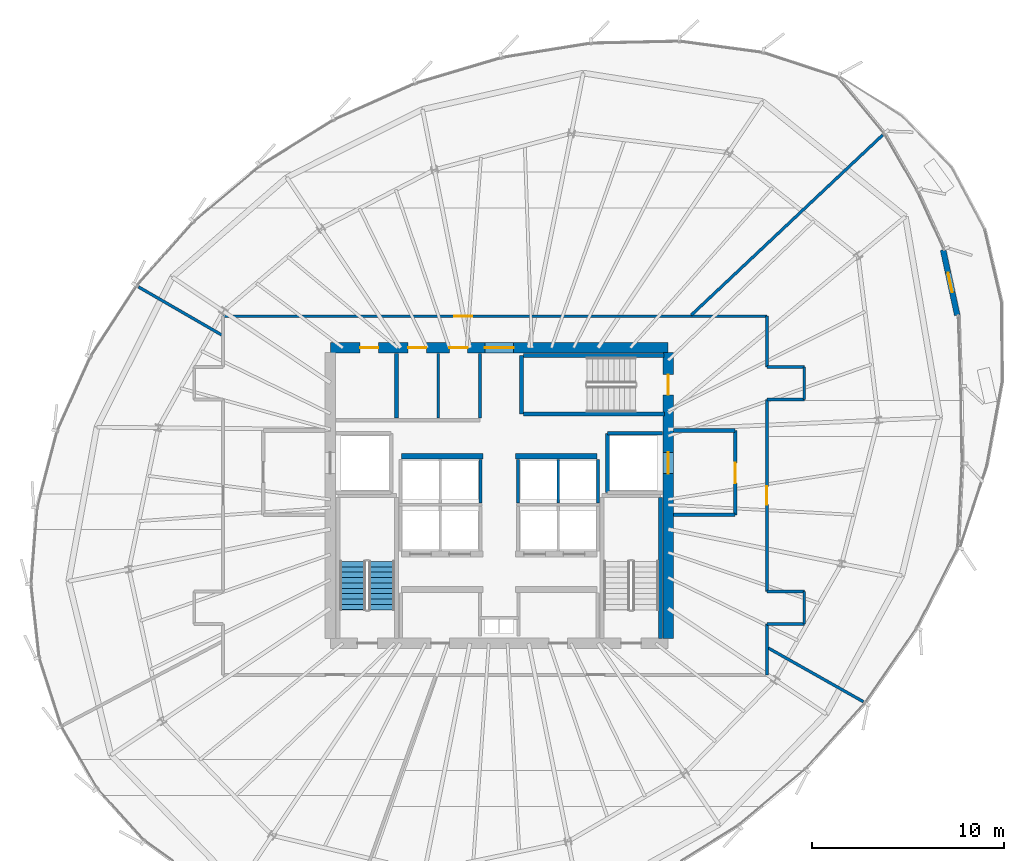
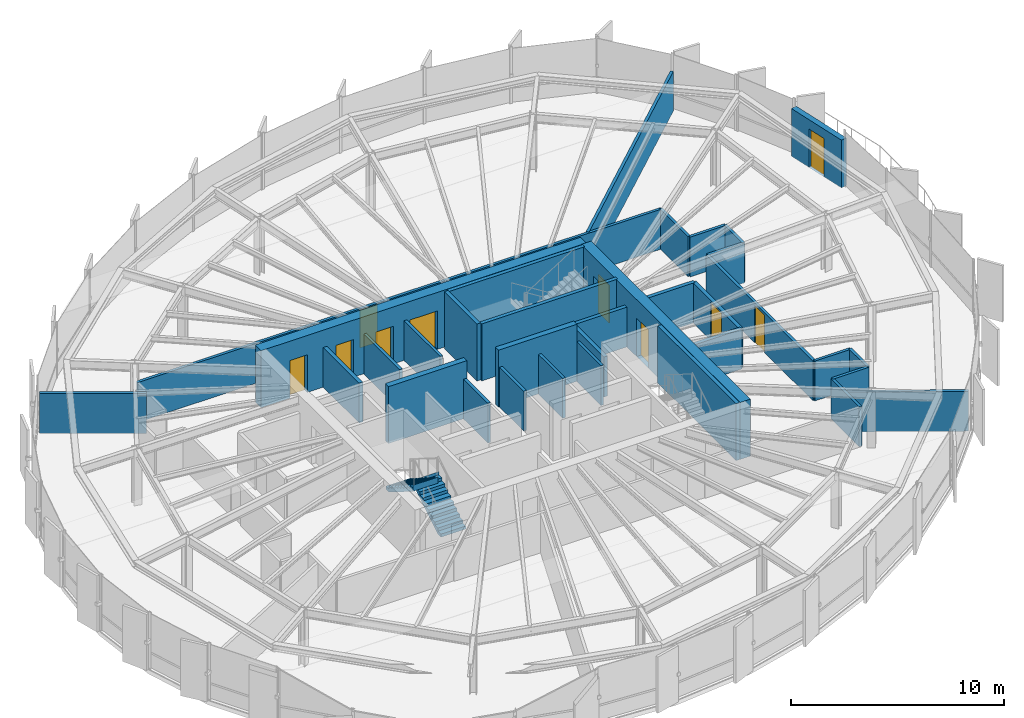
# One storey, part 31 of 35: 34 walls, 10 doors, 2 stair flights, 10 openings, 1 element without a shape of its own.
"""IFC4 building model written with IfcOpenShell, lengths in metres."""

from ifc_helpers import new_model, si_unit, direction, frame, frame_2d, origin, place, context, subcontext, project, spatial, polyline, rectangle, outline, extrude, source, transform, mapped, material, layer, layer_set, type_object, element, fill, aggregate, save


model = new_model("IFC4")

# Units and contexts
model_context = context("Model", 3, precision=1e-05, world=origin(), true_north=direction((0.0, 1.0)))
body_context = subcontext(model_context, "Body", "Model", "MODEL_VIEW")
ifc_project = project(units=[si_unit("LENGTHUNIT", "METRE"), si_unit("AREAUNIT", "SQUARE_METRE"), si_unit("VOLUMEUNIT", "CUBIC_METRE"), si_unit("PLANEANGLEUNIT", "RADIAN"), si_unit("MASSUNIT", "GRAM", prefix="KILO"), si_unit("THERMODYNAMICTEMPERATUREUNIT", "KELVIN")], contexts=[model_context])

# Site, building, storey
site_placement = place(None, origin())
site = spatial("IfcSite", under=ifc_project, at=site_placement, CompositionType="ELEMENT")
building_placement = place(site_placement, origin())
building = spatial("IfcBuilding", under=site, at=building_placement, Name="Kethvar Cultural Tower", CompositionType="ELEMENT")
storey_placement = place(building_placement, frame((0.0, 0.0, 179.89990234375)))
storey = spatial("IfcBuildingStorey", under=building, at=storey_placement, Name="L46", CompositionType="ELEMENT", Elevation=179.89990234375)

# Wall, openings, doors
ifc_material_1 = material(Name="Concrete C60/75", Category="concrete")
ifc_layer_1 = layer(ifc_material_1, 0.550048828125, Name="Concrete C60/75", Category="concrete")
ifc_layer_set_1 = layer_set([ifc_layer_1], Name="Concrete C60/75 (550 mm)")
wall_type_1 = type_object("IfcWallType", Name="WL-CORE-550", PredefinedType="SHEAR", material=ifc_layer_set_1)
wall_1_placement = place(storey_placement, frame((55.60009765625, 35.5, 0.0), z_axis=(0.0, 0.0, 1.0), x_axis=(-1.0, 0.0, 0.0)))
wall_1 = element("IfcWall", 1, at=wall_1_placement, inside=storey, type_object=wall_type_1, Name="L46 Core Shear Wall N", PredefinedType="SHEAR", context=body_context, shape_type="SweptSolid", body=[
    extrude(rectangle(XDim=17.60009765625, YDim=0.550048828125, at=frame_2d((8.800048828125, 0.0))), origin(), (0.0, 0.0, 1.0), 3.260009765625),
])
opening_1_placement = place(wall_1_placement, frame((8.050048828125, 0.0, 0.0)))
opening_1 = element("IfcOpeningElement", 2, at=opening_1_placement, cuts=wall_1, Name="Opening D-L46-LN", PredefinedType="OPENING", context=body_context, shape_type="SweptSolid", body=[
    extrude(rectangle(XDim=1.5, YDim=2.199951171875, at=frame_2d((0.75, 1.10009765625))), frame((0.0, 0.284912109375, 0.0), z_axis=(0.0, -1.0, 0.0), x_axis=(1.0, 0.0, 0.0)), (0.0, 0.0, 1.0), 0.570068359375),
])
opening_2_placement = place(wall_1_placement, frame((15.10009765625, 0.0, 0.0)))
opening_2 = element("IfcOpeningElement", 3, at=opening_2_placement, cuts=wall_1, Name="Opening D-L46-E1", PredefinedType="OPENING", context=body_context, shape_type="SweptSolid", body=[
    extrude(rectangle(XDim=0.949951171875, YDim=2.14990234375, at=frame_2d((0.47509765625, 1.074951171875))), frame((0.0, 0.284912109375, 0.0), z_axis=(0.0, -1.0, 0.0), x_axis=(1.0, 0.0, 0.0)), (0.0, 0.0, 1.0), 0.570068359375),
])
opening_3_placement = place(wall_1_placement, frame((12.60009765625, 0.0, 0.0)))
opening_3 = element("IfcOpeningElement", 4, at=opening_3_placement, cuts=wall_1, Name="Opening D-L46-W1", PredefinedType="OPENING", context=body_context, shape_type="SweptSolid", body=[
    extrude(rectangle(XDim=0.949951171875, YDim=2.14990234375, at=frame_2d((0.47509765625, 1.074951171875))), frame((0.0, 0.284912109375, 0.0), z_axis=(0.0, -1.0, 0.0), x_axis=(1.0, 0.0, 0.0)), (0.0, 0.0, 1.0), 0.570068359375),
])
opening_4_placement = place(wall_1_placement, frame((10.449951171875, 0.0, 0.0)))
opening_4 = element("IfcOpeningElement", 5, at=opening_4_placement, cuts=wall_1, Name="Opening D-L46-W2", PredefinedType="OPENING", context=body_context, shape_type="SweptSolid", body=[
    extrude(rectangle(XDim=0.949951171875, YDim=2.14990234375, at=frame_2d((0.47509765625, 1.074951171875))), frame((0.0, 0.284912109375, 0.0), z_axis=(0.0, -1.0, 0.0), x_axis=(1.0, 0.0, 0.0)), (0.0, 0.0, 1.0), 0.570068359375),
])
ifc_material_2 = material(Name="Architectural Oak Timber", Category="wood")
door_type_1 = type_object("IfcDoorType", Name="DR-DBL-FD60-1500", OperationType="DOUBLE_DOOR_SINGLE_SWING", PredefinedType="DOOR", material=ifc_material_2)
shared_shape_1 = source(origin(), body_context, "Body", "SweptSolid", [
    extrude(rectangle(XDim=1.5, YDim=2.199951171875, at=frame_2d((0.75, 1.10009765625))), frame((0.0, 0.02490234375, 0.0), z_axis=(0.0, -1.0, 0.0), x_axis=(1.0, 0.0, 0.0)), (0.0, 0.0, 1.0), 0.050048828125),
])
door_1_placement = place(opening_1_placement, origin())
door_1 = element("IfcDoor", 6, at=door_1_placement, inside=storey, type_object=door_type_1, Name="L46 Lift Lobby Concourse Door", OperationType="DOUBLE_DOOR_SINGLE_SWING", OverallHeight=2.199951171875, OverallWidth=1.5, PredefinedType="DOOR", context=body_context, shape_type="MappedRepresentation", body=[
    mapped(shared_shape_1, transform((0.0, 0.0, 0.0), scale=1.0)),
])
fill(opening_1, door_1)
door_type_2 = type_object("IfcDoorType", Name="DR-FD30-950", OperationType="NOTDEFINED", PredefinedType="DOOR", material=ifc_material_2)
shared_shape_2 = source(origin(), body_context, "Body", "SweptSolid", [
    extrude(rectangle(XDim=0.949951171875, YDim=2.14990234375, at=frame_2d((0.47509765625, 1.074951171875))), frame((0.0, 0.02490234375, 0.0), z_axis=(0.0, -1.0, 0.0), x_axis=(1.0, 0.0, 0.0)), (0.0, 0.0, 1.0), 0.050048828125),
])
door_2_placement = place(opening_2_placement, origin())
door_2 = element("IfcDoor", 7, at=door_2_placement, inside=storey, type_object=door_type_2, Name="L46 Electrical Switchgear Door", OperationType="SINGLE_SWING_RIGHT", OverallHeight=2.14990234375, OverallWidth=0.949951171875, PredefinedType="DOOR", context=body_context, shape_type="MappedRepresentation", body=[
    mapped(shared_shape_2, transform((0.0, 0.0, 0.0), scale=1.0)),
])
fill(opening_2, door_2)
door_3_placement = place(opening_3_placement, origin())
door_3 = element("IfcDoor", 8, at=door_3_placement, inside=storey, type_object=door_type_2, Name="L46 Accessible Washroom Door", OperationType="SINGLE_SWING_LEFT", OverallHeight=2.14990234375, OverallWidth=0.949951171875, PredefinedType="DOOR", context=body_context, shape_type="MappedRepresentation", body=[
    mapped(shared_shape_2, transform((0.0, 0.0, 0.0), scale=1.0)),
])
fill(opening_3, door_3)
door_4_placement = place(opening_4_placement, origin())
door_4 = element("IfcDoor", 9, at=door_4_placement, inside=storey, type_object=door_type_2, Name="L46 Public Washroom Door", OperationType="SINGLE_SWING_RIGHT", OverallHeight=2.14990234375, OverallWidth=0.949951171875, PredefinedType="DOOR", context=body_context, shape_type="MappedRepresentation", body=[
    mapped(shared_shape_2, transform((0.0, 0.0, 0.0), scale=1.0)),
])
fill(opening_4, door_4)

wall_2_placement = place(storey_placement, frame((55.60009765625, 20.340087890625, 0.0), z_axis=(0.0, 0.0, 1.0), x_axis=(0.0, 1.0, 0.0)))
wall_2 = element("IfcWall", 10, at=wall_2_placement, inside=storey, type_object=wall_type_1, Name="L46 Core Shear Wall E", PredefinedType="SHEAR", context=body_context, shape_type="SweptSolid", body=[
    extrude(rectangle(XDim=14.919921875, YDim=0.550048828125, at=frame_2d((7.4599609375, 0.0))), origin(), (0.0, 0.0, 1.0), 3.260009765625),
])
opening_5_placement = place(wall_2_placement, frame((12.7099609375, 0.0, 0.0)))
opening_5 = element("IfcOpeningElement", 11, at=opening_5_placement, cuts=wall_2, Name="Opening D-L46-S3", PredefinedType="OPENING", context=body_context, shape_type="SweptSolid", body=[
    extrude(rectangle(XDim=1.050048828125, YDim=2.14990234375, at=frame_2d((0.52490234375, 1.074951171875))), frame((0.0, 0.284912109375, 0.0), z_axis=(0.0, -1.0, 0.0), x_axis=(1.0, 0.0, 0.0)), (0.0, 0.0, 1.0), 0.570068359375),
])
opening_6_placement = place(wall_2_placement, frame((8.610107421875, 0.0, 0.0)))
opening_6 = element("IfcOpeningElement", 12, at=opening_6_placement, cuts=wall_2, Name="Opening LD-2", PredefinedType="OPENING", context=body_context, shape_type="SweptSolid", body=[
    extrude(rectangle(XDim=1.10009765625, YDim=2.199951171875, at=frame_2d((0.550048828125, 1.10009765625))), frame((0.0, 0.284912109375, 0.0), z_axis=(0.0, -1.0, 0.0), x_axis=(1.0, 0.0, 0.0)), (0.0, 0.0, 1.0), 0.570068359375),
])
ifc_material_3 = material(Name="Steel S355J2", Category="steel")
door_type_3 = type_object("IfcDoorType", Name="DR-FD60-1050", OperationType="NOTDEFINED", PredefinedType="DOOR", material=ifc_material_3)
shared_shape_3 = source(origin(), body_context, "Body", "SweptSolid", [
    extrude(rectangle(XDim=1.050048828125, YDim=2.14990234375, at=frame_2d((0.52490234375, 1.074951171875))), frame((0.0, 0.02490234375, 0.0), z_axis=(0.0, -1.0, 0.0), x_axis=(1.0, 0.0, 0.0)), (0.0, 0.0, 1.0), 0.050048828125),
])
door_5_placement = place(opening_5_placement, origin())
door_5 = element("IfcDoor", 13, at=door_5_placement, inside=storey, type_object=door_type_3, Name="L46 Exit Stair 3 Door", OperationType="SINGLE_SWING_LEFT", OverallHeight=2.14990234375, OverallWidth=1.050048828125, PredefinedType="DOOR", context=body_context, shape_type="MappedRepresentation", body=[
    mapped(shared_shape_3, transform((0.0, 0.0, 0.0), scale=1.0)),
])
fill(opening_5, door_5)
door_type_4 = type_object("IfcDoorType", Name="DR-LIFT-SLIDE-1100", OperationType="NOTDEFINED", PredefinedType="DOOR", material=ifc_material_3)
shared_shape_4 = source(origin(), body_context, "Body", "SweptSolid", [
    extrude(rectangle(XDim=1.10009765625, YDim=2.199951171875, at=frame_2d((0.550048828125, 1.10009765625))), frame((0.0, 0.02490234375, 0.0), z_axis=(0.0, -1.0, 0.0), x_axis=(1.0, 0.0, 0.0)), (0.0, 0.0, 1.0), 0.050048828125),
])
door_6_placement = place(opening_6_placement, origin())
door_6 = element("IfcDoor", 14, at=door_6_placement, inside=storey, type_object=door_type_4, Name="L46 Firefighting Lift Landing Door FFL-02", OperationType="SLIDING_TO_RIGHT", OverallHeight=2.199951171875, OverallWidth=1.10009765625, PredefinedType="DOOR", context=body_context, shape_type="MappedRepresentation", body=[
    mapped(shared_shape_4, transform((0.0, 0.0, 0.0), scale=1.0)),
])
fill(opening_6, door_6)

# Wall, opening, door
ifc_material_4 = material(Name="Concrete C40/50", Category="concrete")
ifc_layer_2 = layer(ifc_material_4, 0.300048828125, Name="Concrete C40/50", Category="concrete")
ifc_layer_set_2 = layer_set([ifc_layer_2], Name="Concrete C40/50 (300 mm)")
wall_type_2 = type_object("IfcWallType", Name="WL-EXT-TER-300", PredefinedType="SOLIDWALL", material=ifc_layer_set_2)
wall_3_placement = place(storey_placement, frame((69.9345703125, 40.61328125, 0.0), z_axis=(0.0, 0.0, 1.0), x_axis=(0.211576423472, -0.977361456694, 0.0)))
wall_3 = element("IfcWall", 15, at=wall_3_placement, inside=storey, type_object=wall_type_2, Name="L46 Sky Terrace Access Wall", PredefinedType="SOLIDWALL", context=body_context, shape_type="SweptSolid", body=[
    extrude(rectangle(XDim=3.492919921875, YDim=0.300048828125, at=frame_2d((1.74658203125, 0.0))), origin(), (0.0, 0.0, 1.0), 2.735107421875),
])
opening_7_placement = place(wall_3_placement, frame((1.221435546875, 0.0, 0.0)))
opening_7 = element("IfcOpeningElement", 16, at=opening_7_placement, cuts=wall_3, Name="Opening D-L46-T1", PredefinedType="OPENING", context=body_context, shape_type="SweptSolid", body=[
    extrude(rectangle(XDim=1.050048828125, YDim=2.199951171875, at=frame_2d((0.52490234375, 1.10009765625))), frame((0.0, 0.159912109375, 0.0), z_axis=(0.0, -1.0, 0.0), x_axis=(1.0, 0.0, 0.0)), (0.0, 0.0, 1.0), 0.320068359375),
])
ifc_material_5 = material(Name="Aluminium 6063-T6", Category="aluminium")
door_type_5 = type_object("IfcDoorType", Name="DR-EXT-TER-1050", OperationType="NOTDEFINED", PredefinedType="DOOR", material=ifc_material_5)
shared_shape_5 = source(origin(), body_context, "Body", "SweptSolid", [
    extrude(rectangle(XDim=1.050048828125, YDim=2.199951171875, at=frame_2d((0.52490234375, 1.10009765625))), frame((0.0, 0.02490234375, 0.0), z_axis=(0.0, -1.0, 0.0), x_axis=(1.0, 0.0, 0.0)), (0.0, 0.0, 1.0), 0.050048828125),
])
door_7_placement = place(opening_7_placement, origin())
door_7 = element("IfcDoor", 17, at=door_7_placement, inside=storey, type_object=door_type_5, Name="L46 Sky Terrace Access Door D-L46-T1", OperationType="SINGLE_SWING_RIGHT", OverallHeight=2.199951171875, OverallWidth=1.050048828125, PredefinedType="DOOR", context=body_context, shape_type="MappedRepresentation", body=[
    mapped(shared_shape_5, transform((0.0, 0.0, 0.0), scale=1.0)),
])
fill(opening_7, door_7)

# Walls
ifc_material_6 = material(Name="Gypsum Fireboard Partition")
ifc_layer_3 = layer(ifc_material_6, 0.14990234375, Name="Gypsum Fireboard Partition")
ifc_layer_set_3 = layer_set([ifc_layer_3], Name="Gypsum Fireboard Partition (150 mm)")
wall_type_3 = type_object("IfcWallType", Name="WL-FIRE-150", PredefinedType="PARTITIONING", material=ifc_layer_set_3)
for number, where, z_axis, x_axis, name in (
    (18, (45.824951171875, 27.409912109375, 0.0), (0.0, 0.0, 1.0), (0.0, 1.0, 0.0), "L46 High-Rise Lift Shaft Concourse Wall W"),
    (19, (47.77490234375, 27.409912109375, 0.0), (0.0, 0.0, 1.0), (0.0, 1.0, 0.0), "L46 High-Rise Lift Shaft Concourse Wall E"),
    (20, (49.875, 27.409912109375, 0.0), (0.0, 0.0, 1.0), (0.0, 1.0, 0.0), "L46 High-Rise Lift Shaft Divider E"),
    (21, (51.949951171875, 27.409912109375, 0.0), (0.0, 0.0, 1.0), (0.0, 1.0, 0.0), "L46 High-Rise Lift Shaft Outer Wall E"),
):
    element("IfcWall", number, at=place(storey_placement, frame(where, z_axis=z_axis, x_axis=x_axis)), inside=storey, type_object=wall_type_3, Name=name, PredefinedType="PARTITIONING", context=body_context, shape_type="SweptSolid", body=[
        extrude(rectangle(XDim=2.27001953125, YDim=0.14990234375, at=frame_2d((1.135009765625, 0.0))), origin(), (0.0, 0.0, 1.0), 2.280029296875),
    ])
wall_4_placement = place(storey_placement, frame((45.800048828125, 31.85009765625, 0.0), z_axis=(0.0, 0.0, 1.0), x_axis=(0.0, 1.0, 0.0)))
element("IfcWall", 22, at=wall_4_placement, inside=storey, type_object=wall_type_3, Name="L46 Sanitary Spine Wall", PredefinedType="PARTITIONING", context=body_context, shape_type="SweptSolid", body=[
    extrude(rectangle(XDim=3.364990234375, YDim=0.14990234375, at=frame_2d((1.6826171875, 0.0))), origin(), (0.0, 0.0, 1.0), 2.280029296875),
])
wall_5_placement = place(storey_placement, frame((60.75, 18.449951171875, 0.0), z_axis=(0.0, 0.0, 1.0), x_axis=(0.0, 1.0, 0.0)))
element("IfcWall", 23, at=wall_5_placement, inside=storey, type_object=wall_type_3, Name="L46 Corridor Rated Wall E1", PredefinedType="PARTITIONING", context=body_context, shape_type="SweptSolid", body=[
    extrude(rectangle(XDim=2.650146484375, YDim=0.14990234375, at=frame_2d((1.3251953125, 0.0))), origin(), (0.0, 0.0, 1.0), 2.280029296875),
])
wall_6_placement = place(storey_placement, frame((60.75, 21.10009765625, 0.0), z_axis=(0.0, 0.0, 1.0), x_axis=(1.0, 0.0, 0.0)))
element("IfcWall", 24, at=wall_6_placement, inside=storey, type_object=wall_type_3, Name="L46 Corridor Rated Wall ESB", PredefinedType="PARTITIONING", context=body_context, shape_type="SweptSolid", body=[
    extrude(rectangle(XDim=1.949951171875, YDim=0.14990234375, at=frame_2d((0.97509765625, 0.0))), origin(), (0.0, 0.0, 1.0), 2.280029296875),
])
wall_7_placement = place(storey_placement, frame((62.699951171875, 21.10009765625, 0.0), z_axis=(0.0, 0.0, 1.0), x_axis=(0.0, 1.0, 0.0)))
element("IfcWall", 25, at=wall_7_placement, inside=storey, type_object=wall_type_3, Name="L46 Corridor Rated Wall ES", PredefinedType="PARTITIONING", context=body_context, shape_type="SweptSolid", body=[
    extrude(rectangle(XDim=1.699951171875, YDim=0.14990234375, at=frame_2d((0.85009765625, 0.0))), origin(), (0.0, 0.0, 1.0), 2.280029296875),
])
wall_8_placement = place(storey_placement, frame((62.699951171875, 22.800048828125, 0.0), z_axis=(0.0, 0.0, 1.0), x_axis=(-1.0, 0.0, 0.0)))
element("IfcWall", 26, at=wall_8_placement, inside=storey, type_object=wall_type_3, Name="L46 Corridor Rated Wall EST", PredefinedType="PARTITIONING", context=body_context, shape_type="SweptSolid", body=[
    extrude(rectangle(XDim=1.949951171875, YDim=0.14990234375, at=frame_2d((0.97509765625, 0.0))), origin(), (0.0, 0.0, 1.0), 2.280029296875),
])

# Wall, opening, door
wall_9_placement = place(storey_placement, frame((60.75, 22.800048828125, 0.0), z_axis=(0.0, 0.0, 1.0), x_axis=(0.0, 1.0, 0.0)))
wall_9 = element("IfcWall", 27, at=wall_9_placement, inside=storey, type_object=wall_type_3, Name="L46 Corridor Rated Wall EM", PredefinedType="PARTITIONING", context=body_context, shape_type="SweptSolid", body=[
    extrude(rectangle(XDim=10.0, YDim=0.14990234375, at=frame_2d((5.0, 0.0))), origin(), (0.0, 0.0, 1.0), 2.280029296875),
])
opening_8_placement = place(wall_9_placement, frame((4.52490234375, 0.0, 0.0)))
opening_8 = element("IfcOpeningElement", 28, at=opening_8_placement, cuts=wall_9, Name="Opening D-L46-03", PredefinedType="OPENING", context=body_context, shape_type="SweptSolid", body=[
    extrude(rectangle(XDim=0.949951171875, YDim=2.14990234375, at=frame_2d((0.47509765625, 1.074951171875))), frame((0.0, 0.0849609375, 0.0), z_axis=(0.0, -1.0, 0.0), x_axis=(1.0, 0.0, 0.0)), (0.0, 0.0, 1.0), 0.169921875),
])
door_8_placement = place(opening_8_placement, origin())
door_8 = element("IfcDoor", 29, at=door_8_placement, inside=storey, type_object=door_type_2, Name="L46 Curatorial Concierge Foyer 03 Door", OperationType="SINGLE_SWING_LEFT", OverallHeight=2.14990234375, OverallWidth=0.949951171875, PredefinedType="DOOR", context=body_context, shape_type="MappedRepresentation", body=[
    mapped(shared_shape_2, transform((0.0, 0.0, 0.0), scale=1.0)),
])
fill(opening_8, door_8)

# Walls
wall_10_placement = place(storey_placement, frame((60.75, 32.800048828125, 0.0), z_axis=(0.0, 0.0, 1.0), x_axis=(1.0, 0.0, 0.0)))
element("IfcWall", 30, at=wall_10_placement, inside=storey, type_object=wall_type_3, Name="L46 Corridor Rated Wall ENB", PredefinedType="PARTITIONING", context=body_context, shape_type="SweptSolid", body=[
    extrude(rectangle(XDim=1.949951171875, YDim=0.14990234375, at=frame_2d((0.97509765625, 0.0))), origin(), (0.0, 0.0, 1.0), 2.280029296875),
])
wall_11_placement = place(storey_placement, frame((62.699951171875, 32.800048828125, 0.0), z_axis=(0.0, 0.0, 1.0), x_axis=(0.0, 1.0, 0.0)))
element("IfcWall", 31, at=wall_11_placement, inside=storey, type_object=wall_type_3, Name="L46 Corridor Rated Wall EN", PredefinedType="PARTITIONING", context=body_context, shape_type="SweptSolid", body=[
    extrude(rectangle(XDim=1.699951171875, YDim=0.14990234375, at=frame_2d((0.85009765625, 0.0))), origin(), (0.0, 0.0, 1.0), 2.280029296875),
])
wall_12_placement = place(storey_placement, frame((62.699951171875, 34.5, 0.0), z_axis=(0.0, 0.0, 1.0), x_axis=(-1.0, 0.0, 0.0)))
element("IfcWall", 32, at=wall_12_placement, inside=storey, type_object=wall_type_3, Name="L46 Corridor Rated Wall ENT", PredefinedType="PARTITIONING", context=body_context, shape_type="SweptSolid", body=[
    extrude(rectangle(XDim=1.949951171875, YDim=0.14990234375, at=frame_2d((0.97509765625, 0.0))), origin(), (0.0, 0.0, 1.0), 2.280029296875),
])
wall_13_placement = place(storey_placement, frame((60.75, 34.5, 0.0), z_axis=(0.0, 0.0, 1.0), x_axis=(0.0, 1.0, 0.0)))
element("IfcWall", 33, at=wall_13_placement, inside=storey, type_object=wall_type_3, Name="L46 Corridor Rated Wall E2", PredefinedType="PARTITIONING", context=body_context, shape_type="SweptSolid", body=[
    extrude(rectangle(XDim=2.64990234375, YDim=0.14990234375, at=frame_2d((1.324951171875, 0.0))), origin(), (0.0, 0.0, 1.0), 2.280029296875),
])

# Wall, opening, door
wall_14_placement = place(storey_placement, frame((60.75, 37.14990234375, 0.0), z_axis=(0.0, 0.0, 1.0), x_axis=(-1.0, 0.0, 0.0)))
wall_14 = element("IfcWall", 34, at=wall_14_placement, inside=storey, type_object=wall_type_3, Name="L46 Corridor Rated Wall N", PredefinedType="PARTITIONING", context=body_context, shape_type="SweptSolid", body=[
    extrude(rectangle(XDim=28.35009765625, YDim=0.14990234375, at=frame_2d((14.175048828125, 0.0))), origin(), (0.0, 0.0, 1.0), 2.280029296875),
])
opening_9_placement = place(wall_14_placement, frame((15.347412109375, 0.0, 0.0)))
opening_9 = element("IfcOpeningElement", 35, at=opening_9_placement, cuts=wall_14, Name="Opening D-L46-04", PredefinedType="OPENING", context=body_context, shape_type="SweptSolid", body=[
    extrude(rectangle(XDim=0.949951171875, YDim=2.14990234375, at=frame_2d((0.47509765625, 1.074951171875))), frame((0.0, 0.0849609375, 0.0), z_axis=(0.0, -1.0, 0.0), x_axis=(1.0, 0.0, 0.0)), (0.0, 0.0, 1.0), 0.169921875),
])
door_9_placement = place(opening_9_placement, origin())
door_9 = element("IfcDoor", 36, at=door_9_placement, inside=storey, type_object=door_type_2, Name="L46 Security Control Room 04 Door", OperationType="SINGLE_SWING_RIGHT", OverallHeight=2.14990234375, OverallWidth=0.949951171875, PredefinedType="DOOR", context=body_context, shape_type="MappedRepresentation", body=[
    mapped(shared_shape_2, transform((0.0, 0.0, 0.0), scale=1.0)),
])
fill(opening_9, door_9)

# Walls
ifc_layer_4 = layer(ifc_material_4, 0.199951171875, Name="Concrete C40/50", Category="concrete")
ifc_layer_set_4 = layer_set([ifc_layer_4], Name="Concrete C40/50 (200 mm)")
wall_type_4 = type_object("IfcWallType", Name="WL-FIRE-200", PredefinedType="PARTITIONING", material=ifc_layer_set_4)
wall_15_placement = place(storey_placement, frame((52.449951171875, 27.949951171875, 0.0), z_axis=(0.0, 0.0, 1.0), x_axis=(0.0, 1.0, 0.0)))
element("IfcWall", 37, at=wall_15_placement, inside=storey, type_object=wall_type_4, Name="L46 FFL-02 Shaft Inner Wall", PredefinedType="PARTITIONING", context=body_context, shape_type="SweptSolid", body=[
    extrude(rectangle(XDim=3.10009765625, YDim=0.199951171875, at=frame_2d((1.550048828125, 0.0))), origin(), (0.0, 0.0, 1.0), 2.280029296875),
])
wall_16_placement = place(storey_placement, frame((52.449951171875, 31.050048828125, 0.0), z_axis=(0.0, 0.0, 1.0), x_axis=(1.0, 0.0, 0.0)))
element("IfcWall", 38, at=wall_16_placement, inside=storey, type_object=wall_type_4, Name="L46 FFL-02 Shaft North Wall", PredefinedType="PARTITIONING", context=body_context, shape_type="SweptSolid", body=[
    extrude(rectangle(XDim=2.864990234375, YDim=0.199951171875, at=frame_2d((1.4326171875, 0.0))), origin(), (0.0, 0.0, 1.0), 2.280029296875),
])

# Wall, opening, door
wall_17_placement = place(storey_placement, frame((59.10009765625, 26.800048828125, 0.0), z_axis=(0.0, 0.0, 1.0), x_axis=(0.0, 1.0, 0.0)))
wall_17 = element("IfcWall", 39, at=wall_17_placement, inside=storey, type_object=wall_type_4, Name="L46 Firefighting Lobby 2 Wall", PredefinedType="PARTITIONING", context=body_context, shape_type="SweptSolid", body=[
    extrude(rectangle(XDim=4.39990234375, YDim=0.199951171875, at=frame_2d((2.199951171875, 0.0))), origin(), (0.0, 0.0, 1.0), 2.280029296875),
])
opening_10_placement = place(wall_17_placement, frame((1.64990234375, 0.0, 0.0)))
opening_10 = element("IfcOpeningElement", 40, at=opening_10_placement, cuts=wall_17, Name="Opening D-L46-F2", PredefinedType="OPENING", context=body_context, shape_type="SweptSolid", body=[
    extrude(rectangle(XDim=1.050048828125, YDim=2.14990234375, at=frame_2d((0.52490234375, 1.074951171875))), frame((0.0, 0.10986328125, 0.0), z_axis=(0.0, -1.0, 0.0), x_axis=(1.0, 0.0, 0.0)), (0.0, 0.0, 1.0), 0.219970703125),
])
door_10_placement = place(opening_10_placement, origin())
door_10 = element("IfcDoor", 41, at=door_10_placement, inside=storey, type_object=door_type_3, Name="L46 Firefighting Lobby 2 Fire Door", OperationType="SINGLE_SWING_LEFT", OverallHeight=2.14990234375, OverallWidth=1.050048828125, PredefinedType="DOOR", context=body_context, shape_type="MappedRepresentation", body=[
    mapped(shared_shape_3, transform((0.0, 0.0, 0.0), scale=1.0)),
])
fill(opening_10, door_10)

# Walls
for number, where, z_axis, x_axis, name in (
    (42, (55.885009765625, 26.800048828125, 0.0), (0.0, 0.0, 1.0), (1.0, 0.0, 0.0), "L46 FF Lobby 2 South Wall"),
    (43, (55.885009765625, 31.199951171875, 0.0), (0.0, 0.0, 1.0), (1.0, 0.0, 0.0), "L46 FF Lobby 2 North Wall"),
):
    element("IfcWall", number, at=place(storey_placement, frame(where, z_axis=z_axis, x_axis=x_axis)), inside=storey, type_object=wall_type_4, Name=name, PredefinedType="PARTITIONING", context=body_context, shape_type="SweptSolid", body=[
        extrude(rectangle(XDim=3.215087890625, YDim=0.199951171875, at=frame_2d((1.607421875, 0.0))), origin(), (0.0, 0.0, 1.0), 2.280029296875),
    ])
wall_18_placement = place(storey_placement, frame((41.449951171875, 31.85009765625, 0.0), z_axis=(0.0, 0.0, 1.0), x_axis=(0.0, 1.0, 0.0)))
element("IfcWall", 44, at=wall_18_placement, inside=storey, type_object=wall_type_4, Name="L46 NW Core Pocket Wall", PredefinedType="PARTITIONING", context=body_context, shape_type="SweptSolid", body=[
    extrude(rectangle(XDim=3.364990234375, YDim=0.199951171875, at=frame_2d((1.6826171875, 0.0))), origin(), (0.0, 0.0, 1.0), 2.280029296875),
])
ifc_material_7 = material(Name="Gypsum Acoustic Partition")
ifc_layer_5 = layer(ifc_material_7, 0.14990234375, Name="Gypsum Acoustic Partition")
ifc_layer_set_5 = layer_set([ifc_layer_5], Name="Gypsum Acoustic Partition (150 mm)")
wall_type_5 = type_object("IfcWallType", Name="WL-PART-150", PredefinedType="PARTITIONING", material=ifc_layer_set_5)
wall_19_placement = place(storey_placement, frame((60.819580078125, 19.855712890625, 0.0), z_axis=(0.0, 0.0, 1.0), x_axis=(0.870840276809, -0.491566081303, 0.0)))
element("IfcWall", 45, at=wall_19_placement, inside=storey, type_object=wall_type_5, Name="L46 Radial Partition Wall 03", PredefinedType="PARTITIONING", context=body_context, shape_type="SweptSolid", body=[
    extrude(rectangle(XDim=5.70068359375, YDim=0.14990234375, at=frame_2d((2.850341796875, 0.0))), origin(), (0.0, 0.0, 1.0), 2.280029296875),
])
wall_20_placement = place(storey_placement, frame((56.8046875, 37.204833984375, 0.0), z_axis=(0.0, 0.0, 1.0), x_axis=(0.728284128677, 0.685275293526, 0.0)))
element("IfcWall", 46, at=wall_20_placement, inside=storey, type_object=wall_type_5, Name="L46 Radial Partition Wall 04", PredefinedType="PARTITIONING", context=body_context, shape_type="SweptSolid", body=[
    extrude(rectangle(XDim=13.714599609375, YDim=0.14990234375, at=frame_2d((6.857421875, 0.0))), origin(), (0.0, 0.0, 1.0), 2.280029296875),
])
wall_21_placement = place(storey_placement, frame((32.330810546875, 36.173828125, 0.0), z_axis=(0.0, 0.0, 1.0), x_axis=(-0.866065421185, 0.499930681422, 0.0)))
element("IfcWall", 47, at=wall_21_placement, inside=storey, type_object=wall_type_5, Name="L46 Radial Partition Wall 05", PredefinedType="PARTITIONING", context=body_context, shape_type="SweptSolid", body=[
    extrude(rectangle(XDim=5.007080078125, YDim=0.14990234375, at=frame_2d((2.50341796875, 0.0))), origin(), (0.0, 0.0, 1.0), 2.280029296875),
])
ifc_material_8 = material(Name="Moisture-Resistant Sanitary Chase Wall")
ifc_layer_6 = layer(ifc_material_8, 0.14990234375, Name="Moisture-Resistant Sanitary Chase Wall")
ifc_layer_set_6 = layer_set([ifc_layer_6], Name="Moisture-Resistant Sanitary Chase Wall (150 mm)")
wall_type_6 = type_object("IfcWallType", Name="WL-PLUMB-150", PredefinedType="PLUMBINGWALL", material=ifc_layer_set_6)
wall_22_placement = place(storey_placement, frame((43.6201171875, 31.85009765625, 0.0), z_axis=(0.0, 0.0, 1.0), x_axis=(0.0, 1.0, 0.0)))
element("IfcWall", 48, at=wall_22_placement, inside=storey, type_object=wall_type_6, Name="L46 Sanitary Plumbing Wall", PredefinedType="PLUMBINGWALL", context=body_context, shape_type="SweptSolid", body=[
    extrude(rectangle(XDim=3.364990234375, YDim=0.14990234375, at=frame_2d((1.6826171875, 0.0))), origin(), (0.0, 0.0, 1.0), 2.280029296875),
])
ifc_material_9 = material(Name="Concrete C50/60", Category="concrete")
ifc_layer_7 = layer(ifc_material_9, 0.300048828125, Name="Concrete C50/60", Category="concrete")
ifc_layer_set_7 = layer_set([ifc_layer_7], Name="Concrete C50/60 (300 mm)")
wall_type_7 = type_object("IfcWallType", Name="WL-SHAFT-300", PredefinedType="SHEAR", material=ifc_layer_set_7)
for number, where, z_axis, x_axis, name in (
    (49, (41.699951171875, 29.85009765625, 0.0), (0.0, 0.0, 1.0), (1.0, 0.0, 0.0), "L46 Core Lift Spine Wall MID3W"),
    (50, (47.64990234375, 29.85009765625, 0.0), (0.0, 0.0, 1.0), (1.0, 0.0, 0.0), "L46 Core Lift Spine Wall MID3E"),
):
    element("IfcWall", number, at=place(storey_placement, frame(where, z_axis=z_axis, x_axis=x_axis)), inside=storey, type_object=wall_type_7, Name=name, PredefinedType="SHEAR", context=body_context, shape_type="SweptSolid", body=[
        extrude(rectangle(XDim=4.25, YDim=0.300048828125, at=frame_2d((2.125, 0.0))), origin(), (0.0, 0.0, 1.0), 3.260009765625),
    ])
ifc_layer_8 = layer(ifc_material_9, 0.199951171875, Name="Concrete C50/60", Category="concrete")
ifc_layer_set_8 = layer_set([ifc_layer_8], Name="Concrete C50/60 (200 mm)")
wall_type_8 = type_object("IfcWallType", Name="WL-STSHAFT-200", PredefinedType="SHEAR", material=ifc_layer_set_8)
wall_23_placement = place(storey_placement, frame((55.2099609375, 27.699951171875, 0.0), z_axis=(0.0, 0.0, 1.0), x_axis=(0.0, -1.0, 0.0)))
element("IfcWall", 51, at=wall_23_placement, inside=storey, type_object=wall_type_8, Name="L46 ST-02 Stair Shaft Wall LEFT", PredefinedType="SHEAR", context=body_context, shape_type="SweptSolid", body=[
    extrude(rectangle(XDim=7.349853515625, YDim=0.199951171875, at=frame_2d((3.6748046875, 0.0))), origin(), (0.0, 0.0, 1.0), 3.260009765625),
])
wall_24_placement = place(storey_placement, frame((47.949951171875, 32.050048828125, 0.0), z_axis=(0.0, 0.0, 1.0), x_axis=(0.0, 1.0, 0.0)))
element("IfcWall", 52, at=wall_24_placement, inside=storey, type_object=wall_type_8, Name="L46 ST-03 Stair Shaft Wall FAR", PredefinedType="SHEAR", context=body_context, shape_type="SweptSolid", body=[
    extrude(rectangle(XDim=3.06005859375, YDim=0.199951171875, at=frame_2d((1.530029296875, 0.0))), origin(), (0.0, 0.0, 1.0), 3.260009765625),
])
for number, where, z_axis, x_axis, name in (
    (53, (48.050048828125, 35.110107421875, 0.0), (0.0, 0.0, 1.0), (1.0, 0.0, 0.0), "L46 ST-03 Stair Shaft Wall LEFT"),
    (54, (55.39990234375, 32.050048828125, 0.0), (0.0, 0.0, 1.0), (-1.0, 0.0, 0.0), "L46 ST-03 Stair Shaft Wall RIGHT"),
):
    element("IfcWall", number, at=place(storey_placement, frame(where, z_axis=z_axis, x_axis=x_axis)), inside=storey, type_object=wall_type_8, Name=name, PredefinedType="SHEAR", context=body_context, shape_type="SweptSolid", body=[
        extrude(rectangle(XDim=7.349853515625, YDim=0.199951171875, at=frame_2d((3.6748046875, 0.0))), origin(), (0.0, 0.0, 1.0), 3.260009765625),
    ])

# Stair, stair flights
stair_type = type_object("IfcStairType", Name="ST-DOGLEG-135", PredefinedType="HALF_TURN_STAIR", material=ifc_material_4)
stair_placement = place(storey_placement, origin())
stair = element("IfcStair", 55, at=stair_placement, inside=storey, type_object=stair_type, Name="L46 Core Exit Stair 1", PredefinedType="HALF_TURN_STAIR")
stair_flight_type = type_object("IfcStairFlightType", Name="FL-STRAIGHT-135", PredefinedType="STRAIGHT", material=ifc_material_4)
stair_flight_1_placement = place(storey_placement, frame((40.675048828125, 21.85009765625, 0.0), z_axis=(0.0, 0.0, 1.0), x_axis=(0.0, 1.0, 0.0)))
stair_flight_1 = element("IfcStairFlight", 56, at=stair_flight_1_placement, type_object=stair_flight_type, Name="ST-01 flight 1", NumberOfRisers=10, NumberOfTreads=9, PredefinedType="STRAIGHT", RiserHeight=0.175, TreadLength=0.28, context=body_context, shape_type="SweptSolid", body=[
    extrude(outline(polyline([(-0.0009765625, -0.0009765625), (-0.0009765625, 0.175048828125), (0.280029296875, 0.175048828125), (0.280029296875, 0.35009765625), (0.56005859375, 0.35009765625), (0.56005859375, 0.52490234375), (0.840087890625, 0.52490234375), (0.840087890625, 0.699951171875), (1.1201171875, 0.699951171875), (1.1201171875, 0.875), (1.39990234375, 0.875), (1.39990234375, 1.050048828125), (1.679931640625, 1.050048828125), (1.679931640625, 1.22509765625), (1.9599609375, 1.22509765625), (1.9599609375, 1.39990234375), (2.239990234375, 1.39990234375), (2.239990234375, 1.574951171875), (2.52001953125, 1.574951171875), (2.52001953125, 1.75), (2.52099609375, 1.75), (2.52099609375, 1.398193359375), (0.28271484375, 0.0), (0.0, -0.0009765625), (-0.0009765625, -0.0009765625)])), frame((0.0, 0.675048828125, 0.0), z_axis=(0.0, -1.0, 0.0), x_axis=(1.0, 0.0, 0.0)), (0.0, 0.0, 1.0), 1.35009765625),
])
stair_flight_2_placement = place(storey_placement, frame((39.1650390625, 24.3701171875, 1.75), z_axis=(0.0, 0.0, 1.0), x_axis=(0.0, -1.0, 0.0)))
stair_flight_2 = element("IfcStairFlight", 57, at=stair_flight_2_placement, type_object=stair_flight_type, Name="ST-01 flight 2", NumberOfRisers=10, NumberOfTreads=9, PredefinedType="STRAIGHT", RiserHeight=0.175, TreadLength=0.28, context=body_context, shape_type="SweptSolid", body=[
    extrude(outline(polyline([(-0.0009765625, -0.0009765625), (-0.0009765625, 0.175048828125), (0.280029296875, 0.175048828125), (0.280029296875, 0.35009765625), (0.56005859375, 0.35009765625), (0.56005859375, 0.52490234375), (0.840087890625, 0.52490234375), (0.840087890625, 0.699951171875), (1.1201171875, 0.699951171875), (1.1201171875, 0.875), (1.39990234375, 0.875), (1.39990234375, 1.050048828125), (1.679931640625, 1.050048828125), (1.679931640625, 1.22509765625), (1.9599609375, 1.22509765625), (1.9599609375, 1.39990234375), (2.239990234375, 1.39990234375), (2.239990234375, 1.574951171875), (2.52001953125, 1.574951171875), (2.52001953125, 1.75), (2.52099609375, 1.75), (2.52099609375, 1.398193359375), (0.28271484375, 0.0), (0.0, -0.0009765625), (-0.0009765625, -0.0009765625)])), frame((0.0, 0.675048828125, 0.0), z_axis=(0.0, -1.0, 0.0), x_axis=(1.0, 0.0, 0.0)), (0.0, 0.0, 1.0), 1.35009765625),
])
aggregate(stair, [stair_flight_1, stair_flight_2])

save(model, "model.ifc")
